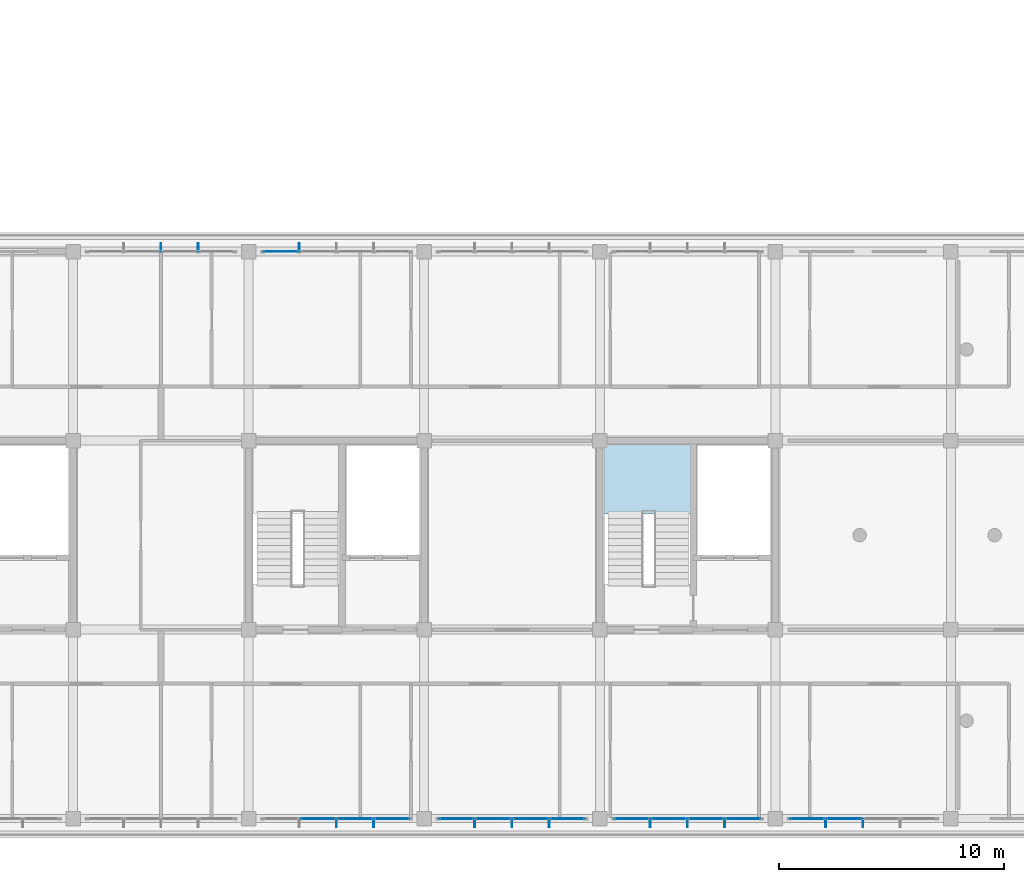
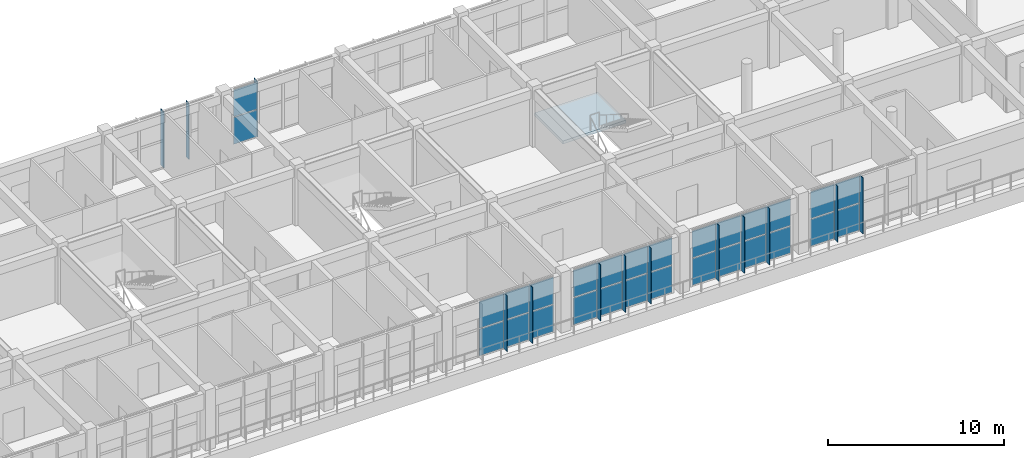
# One storey, part 45 of 57: 41 plates, 1 slab, 6 elements without a shape of their own.
"""IFC4 building model written with IfcOpenShell, lengths in metres."""

from ifc_helpers import new_model, si_unit, direction, frame, origin, origin_2d, place, context, subcontext, project, spatial, polyline, rectangle, outline, extrude, material, layer, layer_set, type_object, element, aggregate, save


model = new_model("IFC4")

# Units and contexts
model_context = context("Model", 3, precision=1e-05, world=origin(), true_north=direction((0.0, 1.0)))
body_context = subcontext(model_context, "Body", "Model", "MODEL_VIEW")
ifc_project = project(units=[si_unit("LENGTHUNIT", "METRE"), si_unit("AREAUNIT", "SQUARE_METRE"), si_unit("VOLUMEUNIT", "CUBIC_METRE"), si_unit("PLANEANGLEUNIT", "RADIAN"), si_unit("MASSUNIT", "GRAM", prefix="KILO")], contexts=[model_context])

# Site, building, storey
site_placement = place(None, origin())
site = spatial("IfcSite", under=ifc_project, at=site_placement, CompositionType="ELEMENT")
building_placement = place(site_placement, origin())
building = spatial("IfcBuilding", under=site, at=building_placement, Name="Zizhar Promenade General Hospital", CompositionType="ELEMENT")
storey_placement = place(building_placement, frame((0.0, 0.0, 22.199951171875)))
storey = spatial("IfcBuildingStorey", under=building, at=storey_placement, Name="L05", CompositionType="ELEMENT", Elevation=22.199951171875)

# Curtain wall, plates
ifc_material_1 = material(Name="Anodised aluminium 6063-T6 and low-E glass", Category="aluminium")
ifc_layer_1 = layer(ifc_material_1, 0.159912109375)
ifc_layer_set_1 = layer_set([ifc_layer_1], Name="Anodised aluminium 6063-T6 and low-E glass")
curtain_wall_type = type_object("IfcCurtainWallType", Name="CW-WARD-RIB", PredefinedType="NOTDEFINED", material=ifc_layer_set_1)
curtain_wall_1_placement = place(storey_placement, origin())
curtain_wall_1 = element("IfcCurtainWall", 1, at=curtain_wall_1_placement, inside=storey, type_object=curtain_wall_type, Name="Ward Ribbon Curtain Wall L05-8-6", PredefinedType="NOTDEFINED")
ifc_material_2 = material(Name="Low-E solar-control glass", Category="glass")
ifc_layer_2 = layer(ifc_material_2, 0.031982421875)
ifc_layer_set_2 = layer_set([ifc_layer_2], Name="Low-E solar-control glass")
plate_type_1 = type_object("IfcPlateType", Name="CWP-GLZ-32", PredefinedType="CURTAIN_PANEL", material=ifc_layer_set_2)
plate_1_placement = place(storey_placement, frame((79.429931640625, 25.199951171875, 0.06005859375), z_axis=(0.0, 0.0, 1.0), x_axis=(1.0, 0.0, 0.0)))
plate_1 = element("IfcPlate", 2, at=plate_1_placement, type_object=plate_type_1, Name="CW-13 panel 1.1", PredefinedType="CURTAIN_PANEL", context=body_context, shape_type="SweptSolid", body=[
    extrude(rectangle(XDim=1.5400390625, YDim=0.031982421875, at=origin_2d()), origin(), (0.0, 0.0, 1.0), 1.860107421875),
])
plate_2_placement = place(storey_placement, frame((79.429931640625, 25.199951171875, 1.97998046875), z_axis=(0.0, 0.0, 1.0), x_axis=(1.0, 0.0, 0.0)))
plate_2 = element("IfcPlate", 3, at=plate_2_placement, type_object=plate_type_1, Name="CW-13 panel 1.2", PredefinedType="CURTAIN_PANEL", context=body_context, shape_type="SweptSolid", body=[
    extrude(rectangle(XDim=1.5400390625, YDim=0.031982421875, at=origin_2d()), origin(), (0.0, 0.0, 1.0), 1.860107421875),
])
aggregate(curtain_wall_1, [plate_1, plate_2])

curtain_wall_2_placement = place(storey_placement, origin())
curtain_wall_2 = element("IfcCurtainWall", 4, at=curtain_wall_2_placement, inside=storey, type_object=curtain_wall_type, Name="Ward Ribbon Curtain Wall L05-17-1", PredefinedType="NOTDEFINED")
plate_3_placement = place(storey_placement, frame((104.469970703125, 0.0, 0.06005859375), z_axis=(0.0, 0.0, 1.0), x_axis=(-1.0, 0.0, 0.0)))
plate_3 = element("IfcPlate", 5, at=plate_3_placement, type_object=plate_type_1, Name="CW-13 panel 3.1", PredefinedType="CURTAIN_PANEL", context=body_context, shape_type="SweptSolid", body=[
    extrude(rectangle(XDim=1.580078125, YDim=0.031982421875, at=origin_2d()), origin(), (0.0, 0.0, 1.0), 1.860107421875),
])
plate_4_placement = place(storey_placement, frame((104.469970703125, 0.0, 1.97998046875), z_axis=(0.0, 0.0, 1.0), x_axis=(-1.0, 0.0, 0.0)))
plate_4 = element("IfcPlate", 6, at=plate_4_placement, type_object=plate_type_1, Name="CW-13 panel 3.2", PredefinedType="CURTAIN_PANEL", context=body_context, shape_type="SweptSolid", body=[
    extrude(rectangle(XDim=1.580078125, YDim=0.031982421875, at=origin_2d()), origin(), (0.0, 0.0, 1.0), 1.860107421875),
])
plate_5_placement = place(storey_placement, frame((102.830078125, 0.0, 0.06005859375), z_axis=(0.0, 0.0, 1.0), x_axis=(-1.0, 0.0, 0.0)))
plate_5 = element("IfcPlate", 7, at=plate_5_placement, type_object=plate_type_1, Name="CW-13 panel 4.1", PredefinedType="CURTAIN_PANEL", context=body_context, shape_type="SweptSolid", body=[
    extrude(rectangle(XDim=1.5400390625, YDim=0.031982421875, at=origin_2d()), origin(), (0.0, 0.0, 1.0), 1.860107421875),
])
plate_6_placement = place(storey_placement, frame((102.830078125, 0.0, 1.97998046875), z_axis=(0.0, 0.0, 1.0), x_axis=(-1.0, 0.0, 0.0)))
plate_6 = element("IfcPlate", 8, at=plate_6_placement, type_object=plate_type_1, Name="CW-13 panel 4.2", PredefinedType="CURTAIN_PANEL", context=body_context, shape_type="SweptSolid", body=[
    extrude(rectangle(XDim=1.5400390625, YDim=0.031982421875, at=origin_2d()), origin(), (0.0, 0.0, 1.0), 1.860107421875),
])
aggregate(curtain_wall_2, [plate_3, plate_4, plate_5, plate_6])

curtain_wall_3_placement = place(storey_placement, origin())
curtain_wall_3 = element("IfcCurtainWall", 9, at=curtain_wall_3_placement, inside=storey, type_object=curtain_wall_type, Name="Ward Ribbon Curtain Wall L05-17-2", PredefinedType="NOTDEFINED")
plate_7_placement = place(storey_placement, frame((99.969970703125, 0.0, 0.06005859375), z_axis=(0.0, 0.0, 1.0), x_axis=(-1.0, 0.0, 0.0)))
plate_7 = element("IfcPlate", 10, at=plate_7_placement, type_object=plate_type_1, Name="CW-13 panel 1.1", PredefinedType="CURTAIN_PANEL", context=body_context, shape_type="SweptSolid", body=[
    extrude(rectangle(XDim=1.5400390625, YDim=0.031982421875, at=origin_2d()), origin(), (0.0, 0.0, 1.0), 1.860107421875),
])
plate_8_placement = place(storey_placement, frame((99.969970703125, 0.0, 1.97998046875), z_axis=(0.0, 0.0, 1.0), x_axis=(-1.0, 0.0, 0.0)))
plate_8 = element("IfcPlate", 11, at=plate_8_placement, type_object=plate_type_1, Name="CW-13 panel 1.2", PredefinedType="CURTAIN_PANEL", context=body_context, shape_type="SweptSolid", body=[
    extrude(rectangle(XDim=1.5400390625, YDim=0.031982421875, at=origin_2d()), origin(), (0.0, 0.0, 1.0), 1.860107421875),
])
plate_9_placement = place(storey_placement, frame((98.330078125, 0.0, 0.06005859375), z_axis=(0.0, 0.0, 1.0), x_axis=(-1.0, 0.0, 0.0)))
plate_9 = element("IfcPlate", 12, at=plate_9_placement, type_object=plate_type_1, Name="CW-13 panel 2.1", PredefinedType="CURTAIN_PANEL", context=body_context, shape_type="SweptSolid", body=[
    extrude(rectangle(XDim=1.580078125, YDim=0.031982421875, at=origin_2d()), origin(), (0.0, 0.0, 1.0), 1.860107421875),
])
plate_10_placement = place(storey_placement, frame((98.330078125, 0.0, 1.97998046875), z_axis=(0.0, 0.0, 1.0), x_axis=(-1.0, 0.0, 0.0)))
plate_10 = element("IfcPlate", 13, at=plate_10_placement, type_object=plate_type_1, Name="CW-13 panel 2.2", PredefinedType="CURTAIN_PANEL", context=body_context, shape_type="SweptSolid", body=[
    extrude(rectangle(XDim=1.580078125, YDim=0.031982421875, at=origin_2d()), origin(), (0.0, 0.0, 1.0), 1.860107421875),
])
plate_11_placement = place(storey_placement, frame((96.669921875, 0.0, 0.06005859375), z_axis=(0.0, 0.0, 1.0), x_axis=(-1.0, 0.0, 0.0)))
plate_11 = element("IfcPlate", 14, at=plate_11_placement, type_object=plate_type_1, Name="CW-13 panel 3.1", PredefinedType="CURTAIN_PANEL", context=body_context, shape_type="SweptSolid", body=[
    extrude(rectangle(XDim=1.580078125, YDim=0.031982421875, at=origin_2d()), origin(), (0.0, 0.0, 1.0), 1.860107421875),
])
plate_12_placement = place(storey_placement, frame((96.669921875, 0.0, 1.97998046875), z_axis=(0.0, 0.0, 1.0), x_axis=(-1.0, 0.0, 0.0)))
plate_12 = element("IfcPlate", 15, at=plate_12_placement, type_object=plate_type_1, Name="CW-13 panel 3.2", PredefinedType="CURTAIN_PANEL", context=body_context, shape_type="SweptSolid", body=[
    extrude(rectangle(XDim=1.580078125, YDim=0.031982421875, at=origin_2d()), origin(), (0.0, 0.0, 1.0), 1.860107421875),
])
plate_13_placement = place(storey_placement, frame((95.030029296875, 0.0, 0.06005859375), z_axis=(0.0, 0.0, 1.0), x_axis=(-1.0, 0.0, 0.0)))
plate_13 = element("IfcPlate", 16, at=plate_13_placement, type_object=plate_type_1, Name="CW-13 panel 4.1", PredefinedType="CURTAIN_PANEL", context=body_context, shape_type="SweptSolid", body=[
    extrude(rectangle(XDim=1.5400390625, YDim=0.031982421875, at=origin_2d()), origin(), (0.0, 0.0, 1.0), 1.860107421875),
])
plate_14_placement = place(storey_placement, frame((95.030029296875, 0.0, 1.97998046875), z_axis=(0.0, 0.0, 1.0), x_axis=(-1.0, 0.0, 0.0)))
plate_14 = element("IfcPlate", 17, at=plate_14_placement, type_object=plate_type_1, Name="CW-13 panel 4.2", PredefinedType="CURTAIN_PANEL", context=body_context, shape_type="SweptSolid", body=[
    extrude(rectangle(XDim=1.5400390625, YDim=0.031982421875, at=origin_2d()), origin(), (0.0, 0.0, 1.0), 1.860107421875),
])
aggregate(curtain_wall_3, [plate_7, plate_8, plate_9, plate_10, plate_11, plate_12, plate_13, plate_14])

curtain_wall_4_placement = place(storey_placement, origin())
curtain_wall_4 = element("IfcCurtainWall", 18, at=curtain_wall_4_placement, inside=storey, type_object=curtain_wall_type, Name="Ward Ribbon Curtain Wall L05-17-3", PredefinedType="NOTDEFINED")
plate_15_placement = place(storey_placement, frame((92.169921875, 0.0, 0.06005859375), z_axis=(0.0, 0.0, 1.0), x_axis=(-1.0, 0.0, 0.0)))
plate_15 = element("IfcPlate", 19, at=plate_15_placement, type_object=plate_type_1, Name="CW-13 panel 1.1", PredefinedType="CURTAIN_PANEL", context=body_context, shape_type="SweptSolid", body=[
    extrude(rectangle(XDim=1.5400390625, YDim=0.031982421875, at=origin_2d()), origin(), (0.0, 0.0, 1.0), 1.860107421875),
])
plate_16_placement = place(storey_placement, frame((92.169921875, 0.0, 1.97998046875), z_axis=(0.0, 0.0, 1.0), x_axis=(-1.0, 0.0, 0.0)))
plate_16 = element("IfcPlate", 20, at=plate_16_placement, type_object=plate_type_1, Name="CW-13 panel 1.2", PredefinedType="CURTAIN_PANEL", context=body_context, shape_type="SweptSolid", body=[
    extrude(rectangle(XDim=1.5400390625, YDim=0.031982421875, at=origin_2d()), origin(), (0.0, 0.0, 1.0), 1.860107421875),
])
plate_17_placement = place(storey_placement, frame((90.530029296875, 0.0, 0.06005859375), z_axis=(0.0, 0.0, 1.0), x_axis=(-1.0, 0.0, 0.0)))
plate_17 = element("IfcPlate", 21, at=plate_17_placement, type_object=plate_type_1, Name="CW-13 panel 2.1", PredefinedType="CURTAIN_PANEL", context=body_context, shape_type="SweptSolid", body=[
    extrude(rectangle(XDim=1.580078125, YDim=0.031982421875, at=origin_2d()), origin(), (0.0, 0.0, 1.0), 1.860107421875),
])
plate_18_placement = place(storey_placement, frame((90.530029296875, 0.0, 1.97998046875), z_axis=(0.0, 0.0, 1.0), x_axis=(-1.0, 0.0, 0.0)))
plate_18 = element("IfcPlate", 22, at=plate_18_placement, type_object=plate_type_1, Name="CW-13 panel 2.2", PredefinedType="CURTAIN_PANEL", context=body_context, shape_type="SweptSolid", body=[
    extrude(rectangle(XDim=1.580078125, YDim=0.031982421875, at=origin_2d()), origin(), (0.0, 0.0, 1.0), 1.860107421875),
])
plate_19_placement = place(storey_placement, frame((88.8701171875, 0.0, 0.06005859375), z_axis=(0.0, 0.0, 1.0), x_axis=(-1.0, 0.0, 0.0)))
plate_19 = element("IfcPlate", 23, at=plate_19_placement, type_object=plate_type_1, Name="CW-13 panel 3.1", PredefinedType="CURTAIN_PANEL", context=body_context, shape_type="SweptSolid", body=[
    extrude(rectangle(XDim=1.580078125, YDim=0.031982421875, at=origin_2d()), origin(), (0.0, 0.0, 1.0), 1.860107421875),
])
plate_20_placement = place(storey_placement, frame((88.8701171875, 0.0, 1.97998046875), z_axis=(0.0, 0.0, 1.0), x_axis=(-1.0, 0.0, 0.0)))
plate_20 = element("IfcPlate", 24, at=plate_20_placement, type_object=plate_type_1, Name="CW-13 panel 3.2", PredefinedType="CURTAIN_PANEL", context=body_context, shape_type="SweptSolid", body=[
    extrude(rectangle(XDim=1.580078125, YDim=0.031982421875, at=origin_2d()), origin(), (0.0, 0.0, 1.0), 1.860107421875),
])
plate_21_placement = place(storey_placement, frame((87.22998046875, 0.0, 0.06005859375), z_axis=(0.0, 0.0, 1.0), x_axis=(-1.0, 0.0, 0.0)))
plate_21 = element("IfcPlate", 25, at=plate_21_placement, type_object=plate_type_1, Name="CW-13 panel 4.1", PredefinedType="CURTAIN_PANEL", context=body_context, shape_type="SweptSolid", body=[
    extrude(rectangle(XDim=1.5400390625, YDim=0.031982421875, at=origin_2d()), origin(), (0.0, 0.0, 1.0), 1.860107421875),
])
plate_22_placement = place(storey_placement, frame((87.22998046875, 0.0, 1.97998046875), z_axis=(0.0, 0.0, 1.0), x_axis=(-1.0, 0.0, 0.0)))
plate_22 = element("IfcPlate", 26, at=plate_22_placement, type_object=plate_type_1, Name="CW-13 panel 4.2", PredefinedType="CURTAIN_PANEL", context=body_context, shape_type="SweptSolid", body=[
    extrude(rectangle(XDim=1.5400390625, YDim=0.031982421875, at=origin_2d()), origin(), (0.0, 0.0, 1.0), 1.860107421875),
])
aggregate(curtain_wall_4, [plate_15, plate_16, plate_17, plate_18, plate_19, plate_20, plate_21, plate_22])

curtain_wall_5_placement = place(storey_placement, origin())
curtain_wall_5 = element("IfcCurtainWall", 27, at=curtain_wall_5_placement, inside=storey, type_object=curtain_wall_type, Name="Ward Ribbon Curtain Wall L05-17-4", PredefinedType="NOTDEFINED")
plate_23_placement = place(storey_placement, frame((84.3701171875, 0.0, 0.06005859375), z_axis=(0.0, 0.0, 1.0), x_axis=(-1.0, 0.0, 0.0)))
plate_23 = element("IfcPlate", 28, at=plate_23_placement, type_object=plate_type_1, Name="CW-13 panel 1.1", PredefinedType="CURTAIN_PANEL", context=body_context, shape_type="SweptSolid", body=[
    extrude(rectangle(XDim=1.5400390625, YDim=0.031982421875, at=origin_2d()), origin(), (0.0, 0.0, 1.0), 1.860107421875),
])
plate_24_placement = place(storey_placement, frame((84.3701171875, 0.0, 1.97998046875), z_axis=(0.0, 0.0, 1.0), x_axis=(-1.0, 0.0, 0.0)))
plate_24 = element("IfcPlate", 29, at=plate_24_placement, type_object=plate_type_1, Name="CW-13 panel 1.2", PredefinedType="CURTAIN_PANEL", context=body_context, shape_type="SweptSolid", body=[
    extrude(rectangle(XDim=1.5400390625, YDim=0.031982421875, at=origin_2d()), origin(), (0.0, 0.0, 1.0), 1.860107421875),
])
plate_25_placement = place(storey_placement, frame((82.72998046875, 0.0, 0.06005859375), z_axis=(0.0, 0.0, 1.0), x_axis=(-1.0, 0.0, 0.0)))
plate_25 = element("IfcPlate", 30, at=plate_25_placement, type_object=plate_type_1, Name="CW-13 panel 2.1", PredefinedType="CURTAIN_PANEL", context=body_context, shape_type="SweptSolid", body=[
    extrude(rectangle(XDim=1.580078125, YDim=0.031982421875, at=origin_2d()), origin(), (0.0, 0.0, 1.0), 1.860107421875),
])
plate_26_placement = place(storey_placement, frame((82.72998046875, 0.0, 1.97998046875), z_axis=(0.0, 0.0, 1.0), x_axis=(-1.0, 0.0, 0.0)))
plate_26 = element("IfcPlate", 31, at=plate_26_placement, type_object=plate_type_1, Name="CW-13 panel 2.2", PredefinedType="CURTAIN_PANEL", context=body_context, shape_type="SweptSolid", body=[
    extrude(rectangle(XDim=1.580078125, YDim=0.031982421875, at=origin_2d()), origin(), (0.0, 0.0, 1.0), 1.860107421875),
])
plate_27_placement = place(storey_placement, frame((81.070068359375, 0.0, 0.06005859375), z_axis=(0.0, 0.0, 1.0), x_axis=(-1.0, 0.0, 0.0)))
plate_27 = element("IfcPlate", 32, at=plate_27_placement, type_object=plate_type_1, Name="CW-13 panel 3.1", PredefinedType="CURTAIN_PANEL", context=body_context, shape_type="SweptSolid", body=[
    extrude(rectangle(XDim=1.580078125, YDim=0.031982421875, at=origin_2d()), origin(), (0.0, 0.0, 1.0), 1.860107421875),
])
plate_28_placement = place(storey_placement, frame((81.070068359375, 0.0, 1.97998046875), z_axis=(0.0, 0.0, 1.0), x_axis=(-1.0, 0.0, 0.0)))
plate_28 = element("IfcPlate", 33, at=plate_28_placement, type_object=plate_type_1, Name="CW-13 panel 3.2", PredefinedType="CURTAIN_PANEL", context=body_context, shape_type="SweptSolid", body=[
    extrude(rectangle(XDim=1.580078125, YDim=0.031982421875, at=origin_2d()), origin(), (0.0, 0.0, 1.0), 1.860107421875),
])
aggregate(curtain_wall_5, [plate_23, plate_24, plate_25, plate_26, plate_27, plate_28])

# Plates
ifc_material_3 = material(Name="Anodised aluminium 6063-T6", Category="aluminium")
ifc_layer_3 = layer(ifc_material_3, 0.035888671875)
ifc_layer_set_3 = layer_set([ifc_layer_3], Name="Anodised aluminium 6063-T6")
plate_type_2 = type_object("IfcPlateType", Name="FIN-ALU-380", PredefinedType="USERDEFINED", material=ifc_layer_set_3)
plate_29_placement = place(storey_placement, origin())
element("IfcPlate", 34, at=plate_29_placement, inside=storey, type_object=plate_type_2, Name="Ward Ribbon Curtain Wall L05-8-5 Solar Fin 2", ObjectType="SOLAR_SHADE", PredefinedType="USERDEFINED", context=body_context, shape_type="SweptSolid", body=[
    extrude(outline(polyline([(74.08203125, 25.199951171875), (74.117919921875, 25.199951171875), (74.117919921875, 25.580078125), (74.08203125, 25.580078125), (74.08203125, 25.199951171875)])), origin(), (0.0, 0.0, 1.0), 3.900146484375),
])
plate_30_placement = place(storey_placement, origin())
element("IfcPlate", 35, at=plate_30_placement, inside=storey, type_object=plate_type_2, Name="Ward Ribbon Curtain Wall L05-8-5 Solar Fin 3", ObjectType="SOLAR_SHADE", PredefinedType="USERDEFINED", context=body_context, shape_type="SweptSolid", body=[
    extrude(outline(polyline([(75.741943359375, 25.199951171875), (75.778076171875, 25.199951171875), (75.778076171875, 25.580078125), (75.741943359375, 25.580078125), (75.741943359375, 25.199951171875)])), origin(), (0.0, 0.0, 1.0), 3.900146484375),
])
plate_31_placement = place(storey_placement, origin())
element("IfcPlate", 36, at=plate_31_placement, inside=storey, type_object=plate_type_2, Name="Ward Ribbon Curtain Wall L05-8-6 Solar Fin 1", ObjectType="SOLAR_SHADE", PredefinedType="USERDEFINED", context=body_context, shape_type="SweptSolid", body=[
    extrude(outline(polyline([(80.221923828125, 25.199951171875), (80.258056640625, 25.199951171875), (80.258056640625, 25.580078125), (80.221923828125, 25.580078125), (80.221923828125, 25.199951171875)])), origin(), (0.0, 0.0, 1.0), 3.900146484375),
])
plate_32_placement = place(storey_placement, origin())
element("IfcPlate", 37, at=plate_32_placement, inside=storey, type_object=plate_type_2, Name="Ward Ribbon Curtain Wall L05-17-1 Solar Fin 2", ObjectType="SOLAR_SHADE", PredefinedType="USERDEFINED", context=body_context, shape_type="SweptSolid", body=[
    extrude(outline(polyline([(105.318115234375, 0.0), (105.281982421875, 0.0), (105.281982421875, -0.3798828125), (105.318115234375, -0.3798828125), (105.318115234375, 0.0)])), origin(), (0.0, 0.0, 1.0), 3.900146484375),
])
plate_33_placement = place(storey_placement, origin())
element("IfcPlate", 38, at=plate_33_placement, inside=storey, type_object=plate_type_2, Name="Ward Ribbon Curtain Wall L05-17-1 Solar Fin 3", ObjectType="SOLAR_SHADE", PredefinedType="USERDEFINED", context=body_context, shape_type="SweptSolid", body=[
    extrude(outline(polyline([(103.657958984375, 0.0), (103.6220703125, 0.0), (103.6220703125, -0.3798828125), (103.657958984375, -0.3798828125), (103.657958984375, 0.0)])), origin(), (0.0, 0.0, 1.0), 3.900146484375),
])
plate_34_placement = place(storey_placement, origin())
element("IfcPlate", 39, at=plate_34_placement, inside=storey, type_object=plate_type_2, Name="Ward Ribbon Curtain Wall L05-17-2 Solar Fin 1", ObjectType="SOLAR_SHADE", PredefinedType="USERDEFINED", context=body_context, shape_type="SweptSolid", body=[
    extrude(outline(polyline([(99.177978515625, 0.0), (99.14208984375, 0.0), (99.14208984375, -0.3798828125), (99.177978515625, -0.3798828125), (99.177978515625, 0.0)])), origin(), (0.0, 0.0, 1.0), 3.900146484375),
])
plate_35_placement = place(storey_placement, origin())
element("IfcPlate", 40, at=plate_35_placement, inside=storey, type_object=plate_type_2, Name="Ward Ribbon Curtain Wall L05-17-2 Solar Fin 2", ObjectType="SOLAR_SHADE", PredefinedType="USERDEFINED", context=body_context, shape_type="SweptSolid", body=[
    extrude(outline(polyline([(97.51806640625, 0.0), (97.48193359375, 0.0), (97.48193359375, -0.3798828125), (97.51806640625, -0.3798828125), (97.51806640625, 0.0)])), origin(), (0.0, 0.0, 1.0), 3.900146484375),
])
plate_36_placement = place(storey_placement, origin())
element("IfcPlate", 41, at=plate_36_placement, inside=storey, type_object=plate_type_2, Name="Ward Ribbon Curtain Wall L05-17-2 Solar Fin 3", ObjectType="SOLAR_SHADE", PredefinedType="USERDEFINED", context=body_context, shape_type="SweptSolid", body=[
    extrude(outline(polyline([(95.85791015625, 0.0), (95.822021484375, 0.0), (95.822021484375, -0.3798828125), (95.85791015625, -0.3798828125), (95.85791015625, 0.0)])), origin(), (0.0, 0.0, 1.0), 3.900146484375),
])
plate_37_placement = place(storey_placement, origin())
element("IfcPlate", 42, at=plate_37_placement, inside=storey, type_object=plate_type_2, Name="Ward Ribbon Curtain Wall L05-17-3 Solar Fin 1", ObjectType="SOLAR_SHADE", PredefinedType="USERDEFINED", context=body_context, shape_type="SweptSolid", body=[
    extrude(outline(polyline([(91.3779296875, 0.0), (91.342041015625, 0.0), (91.342041015625, -0.3798828125), (91.3779296875, -0.3798828125), (91.3779296875, 0.0)])), origin(), (0.0, 0.0, 1.0), 3.900146484375),
])
plate_38_placement = place(storey_placement, origin())
element("IfcPlate", 43, at=plate_38_placement, inside=storey, type_object=plate_type_2, Name="Ward Ribbon Curtain Wall L05-17-3 Solar Fin 2", ObjectType="SOLAR_SHADE", PredefinedType="USERDEFINED", context=body_context, shape_type="SweptSolid", body=[
    extrude(outline(polyline([(89.718017578125, 0.0), (89.681884765625, 0.0), (89.681884765625, -0.3798828125), (89.718017578125, -0.3798828125), (89.718017578125, 0.0)])), origin(), (0.0, 0.0, 1.0), 3.900146484375),
])
plate_39_placement = place(storey_placement, origin())
element("IfcPlate", 44, at=plate_39_placement, inside=storey, type_object=plate_type_2, Name="Ward Ribbon Curtain Wall L05-17-3 Solar Fin 3", ObjectType="SOLAR_SHADE", PredefinedType="USERDEFINED", context=body_context, shape_type="SweptSolid", body=[
    extrude(outline(polyline([(88.05810546875, 0.0), (88.02197265625, 0.0), (88.02197265625, -0.3798828125), (88.05810546875, -0.3798828125), (88.05810546875, 0.0)])), origin(), (0.0, 0.0, 1.0), 3.900146484375),
])
plate_40_placement = place(storey_placement, origin())
element("IfcPlate", 45, at=plate_40_placement, inside=storey, type_object=plate_type_2, Name="Ward Ribbon Curtain Wall L05-17-4 Solar Fin 1", ObjectType="SOLAR_SHADE", PredefinedType="USERDEFINED", context=body_context, shape_type="SweptSolid", body=[
    extrude(outline(polyline([(83.577880859375, 0.0), (83.5419921875, 0.0), (83.5419921875, -0.3798828125), (83.577880859375, -0.3798828125), (83.577880859375, 0.0)])), origin(), (0.0, 0.0, 1.0), 3.900146484375),
])
plate_41_placement = place(storey_placement, origin())
element("IfcPlate", 46, at=plate_41_placement, inside=storey, type_object=plate_type_2, Name="Ward Ribbon Curtain Wall L05-17-4 Solar Fin 2", ObjectType="SOLAR_SHADE", PredefinedType="USERDEFINED", context=body_context, shape_type="SweptSolid", body=[
    extrude(outline(polyline([(81.91796875, 0.0), (81.882080078125, 0.0), (81.882080078125, -0.3798828125), (81.91796875, -0.3798828125), (81.91796875, 0.0)])), origin(), (0.0, 0.0, 1.0), 3.900146484375),
])

# Stair, slab
ifc_material_4 = material(Name="Concrete C35/45", Category="concrete")
stair_type = type_object("IfcStairType", Name="STR-DOG-420", PredefinedType="HALF_TURN_STAIR", material=ifc_material_4)
stair_placement = place(storey_placement, origin())
stair = element("IfcStair", 47, at=stair_placement, inside=storey, type_object=stair_type, Name="Exit Stair ST-05 (L05 to L06)", PredefinedType="HALF_TURN_STAIR")
ifc_material_5 = material(Name="Concrete C35/45", Category="concrete")
ifc_layer_4 = layer(ifc_material_5, 0.2099609375)
ifc_layer_set_4 = layer_set([ifc_layer_4], Name="Concrete C35/45")
slab_type = type_object("IfcSlabType", Name="SLB-LAND-420", PredefinedType="LANDING", material=ifc_layer_set_4)
slab_placement = place(storey_placement, frame((0.0, 0.0, 1.89013671875)))
slab = element("IfcSlab", 48, at=slab_placement, type_object=slab_type, Name="ST-05C landing 1", PredefinedType="LANDING", context=body_context, shape_type="SweptSolid", body=[
    extrude(outline(polyline([(93.60009765625, 13.570068359375), (97.75, 13.570068359375), (97.75, 16.800048828125), (93.60009765625, 16.800048828125), (93.60009765625, 13.570068359375)])), origin(), (0.0, 0.0, 1.0), 0.2099609375),
])
aggregate(stair, [slab])

save(model, "model.ifc")
